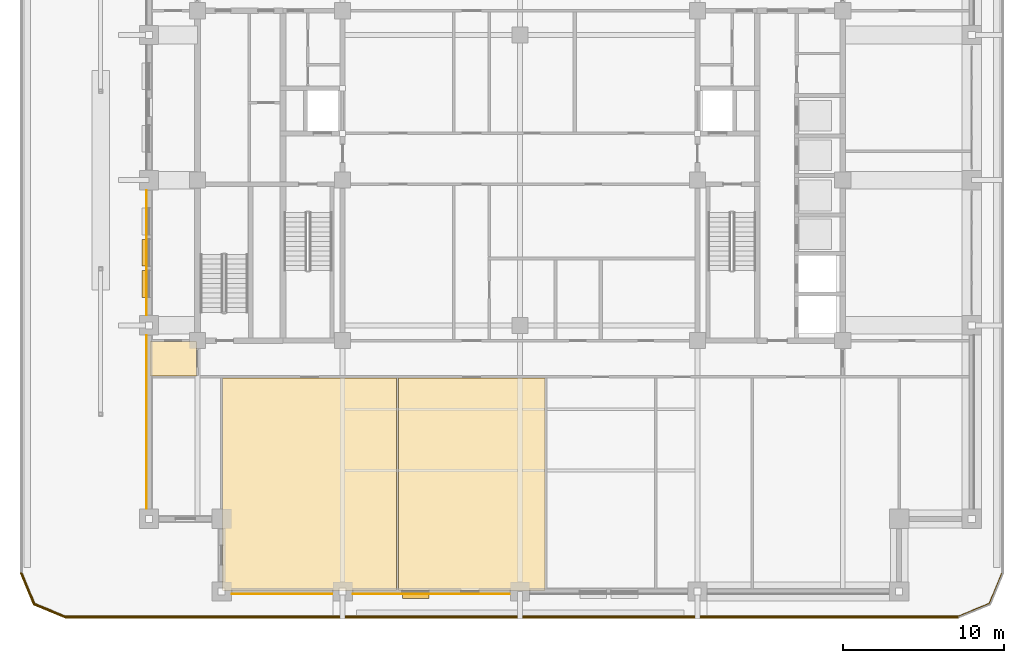
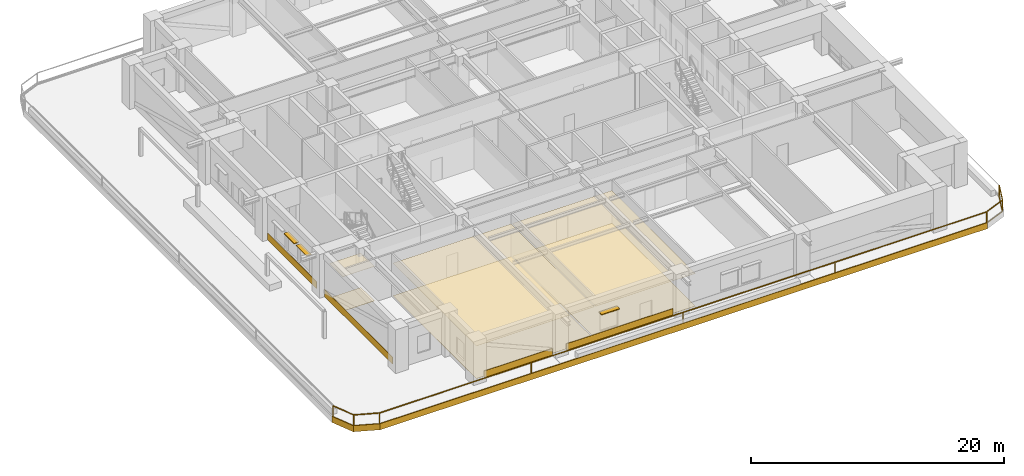
# One storey, part 13 of 21: 13 coverings, 3 shading devices, 1 railing.
"""IFC4 building model written with IfcOpenShell, lengths in metres."""

from ifc_helpers import new_model, si_unit, direction, frame, frame_2d, origin, origin_2d, place, context, subcontext, project, spatial, polyline, rectangle, outline, extrude, material, layer, layer_set, type_object, element, save


model = new_model("IFC4")

# Units and contexts
model_context = context("Model", 3, precision=1e-05, world=origin(), true_north=direction((0.0, 1.0)))
body_context = subcontext(model_context, "Body", "Model", "MODEL_VIEW")
ifc_project = project(units=[si_unit("LENGTHUNIT", "METRE"), si_unit("AREAUNIT", "SQUARE_METRE"), si_unit("VOLUMEUNIT", "CUBIC_METRE"), si_unit("PLANEANGLEUNIT", "RADIAN"), si_unit("MASSUNIT", "GRAM", prefix="KILO")], contexts=[model_context])

# Site, building, storey
site_placement = place(None, origin())
site = spatial("IfcSite", under=ifc_project, at=site_placement, CompositionType="ELEMENT")
building_placement = place(site_placement, origin())
building = spatial("IfcBuilding", under=site, at=building_placement, Name="Zulmaris Gate Convention Tower", CompositionType="ELEMENT")
storey_placement = place(building_placement, frame((0.0, 0.0, 86.93994140625)))
storey = spatial("IfcBuildingStorey", under=building, at=storey_placement, Name="L21", CompositionType="ELEMENT", Elevation=86.93994140625)

# Coverings
ifc_material_1 = material(Name="Precast concrete C40/50", Category="concrete")
ifc_layer_1 = layer(ifc_material_1, 0.0400390625, Name="Precast concrete C40/50")
ifc_layer_set_1 = layer_set([ifc_layer_1], Name="Precast concrete C40/50")
covering_type_1 = type_object("IfcCoveringType", Name="CLAD-SPANDREL-PRECAST", PredefinedType="CLADDING", material=ifc_layer_set_1)
covering_1_placement = place(storey_placement, frame((-17.8701171875, -25.64990234375, 0.0), z_axis=(0.0, 0.0, 1.0), x_axis=(1.0, 0.0, 0.0)))
element("IfcCovering", 1, at=covering_1_placement, inside=storey, type_object=covering_type_1, Name="CLD-L21-S-0_0", PredefinedType="CLADDING", context=body_context, shape_type="SweptSolid", body=[
    extrude(rectangle(XDim=6.240234375, YDim=0.0400390625, at=frame_2d((3.1201171875, 0.0))), origin(), (0.0, 0.0, 1.0), 0.679931640625),
])
covering_2_placement = place(storey_placement, frame((-10.3701171875, -25.64990234375, 0.0), z_axis=(0.0, 0.0, 1.0), x_axis=(1.0, 0.0, 0.0)))
element("IfcCovering", 2, at=covering_2_placement, inside=storey, type_object=covering_type_1, Name="CLD-L21-S-1_0", PredefinedType="CLADDING", context=body_context, shape_type="SweptSolid", body=[
    extrude(rectangle(XDim=9.740234375, YDim=0.0400390625, at=frame_2d((4.8701171875, 0.0))), origin(), (0.0, 0.0, 1.0), 0.679931640625),
])
covering_3_placement = place(storey_placement, frame((-23.14990234375, -9.6298828125, 0.0), z_axis=(0.0, 0.0, 1.0), x_axis=(0.0, -1.0, 0.0)))
element("IfcCovering", 3, at=covering_3_placement, inside=storey, type_object=covering_type_1, Name="CLD-L21-W-0_0", PredefinedType="CLADDING", context=body_context, shape_type="SweptSolid", body=[
    extrude(rectangle(XDim=10.740234375, YDim=0.0400390625, at=frame_2d((5.3701171875, 0.0))), origin(), (0.0, 0.0, 1.0), 0.679931640625),
])
covering_4_placement = place(storey_placement, frame((-23.14990234375, -0.6298828125, 0.0), z_axis=(0.0, 0.0, 1.0), x_axis=(0.0, -1.0, 0.0)))
element("IfcCovering", 4, at=covering_4_placement, inside=storey, type_object=covering_type_1, Name="CLD-L21-W-1_0", PredefinedType="CLADDING", context=body_context, shape_type="SweptSolid", body=[
    extrude(rectangle(XDim=7.740234375, YDim=0.0400390625, at=frame_2d((3.8701171875, 0.0))), origin(), (0.0, 0.0, 1.0), 0.679931640625),
])
ifc_material_2 = material(Name="White Glazed Architectural Precast Concrete C40/50", Category="concrete")
ifc_layer_2 = layer(ifc_material_2, 0.080078125, Name="White Glazed Architectural Precast Concrete C40/50")
ifc_layer_set_2 = layer_set([ifc_layer_2], Name="White Glazed Architectural Precast Concrete C40/50")
covering_type_2 = type_object("IfcCoveringType", Name="CLAD-TRAY-FASCIA", PredefinedType="CLADDING", material=ifc_layer_set_2)
covering_5_placement = place(storey_placement, frame((-30.962890625, -24.334716796875, -0.465087890625), z_axis=(0.0, 0.0, 1.0), x_axis=(0.382656984709, -0.923890487046, 0.0)))
element("IfcCovering", 5, at=covering_5_placement, inside=storey, type_object=covering_type_2, Name="FSC-L21-TR-00", PredefinedType="CLADDING", context=body_context, shape_type="SweptSolid", body=[
    extrude(rectangle(XDim=2.14306640625, YDim=0.080078125, at=frame_2d((1.071533203125, 0.0))), origin(), (0.0, 0.0, 1.0), 0.5849609375),
])
covering_6_placement = place(storey_placement, frame((-30.16455078125, -26.29296875, -0.465087890625), z_axis=(0.0, 0.0, 1.0), x_axis=(0.923873803533, -0.382697263049, 0.0)))
element("IfcCovering", 6, at=covering_6_placement, inside=storey, type_object=covering_type_2, Name="FSC-L21-TR-01", PredefinedType="CLADDING", context=body_context, shape_type="SweptSolid", body=[
    extrude(rectangle(XDim=2.142822265625, YDim=0.080078125, at=frame_2d((1.0712890625, 0.0))), origin(), (0.0, 0.0, 1.0), 0.5849609375),
])
covering_7_placement = place(storey_placement, frame((-28.199951171875, -27.110107421875, -0.465087890625), z_axis=(0.0, 0.0, 1.0), x_axis=(1.0, 0.0, 0.0)))
element("IfcCovering", 7, at=covering_7_placement, inside=storey, type_object=covering_type_2, Name="FSC-L21-TR-02", PredefinedType="CLADDING", context=body_context, shape_type="SweptSolid", body=[
    extrude(rectangle(XDim=55.39990234375, YDim=0.080078125, at=frame_2d((27.699951171875, 0.0))), origin(), (0.0, 0.0, 1.0), 0.5849609375),
])
ifc_material_3 = material(Name="Mineral Fibre Acoustic Ceiling Tile")
ifc_layer_3 = layer(ifc_material_3, 0.02001953125, Name="Mineral Fibre Acoustic Ceiling Tile")
ifc_layer_set_3 = layer_set([ifc_layer_3], Name="Mineral Fibre Acoustic Ceiling Tile")
covering_type_3 = type_object("IfcCoveringType", Name="CLG-ACOUSTIC-600", PredefinedType="CEILING", material=ifc_layer_set_3)
covering_8_placement = place(storey_placement, frame((0.0, 0.0, 3.153076171875)))
element("IfcCovering", 8, at=covering_8_placement, inside=storey, type_object=covering_type_3, Name="CLG-L21-R44", PredefinedType="CEILING", context=body_context, shape_type="SweptSolid", body=[
    extrude(outline(polyline([(-18.43994140625, -25.43994140625), (-7.659912109375, -25.43994140625), (-7.659912109375, -12.260009765625), (-18.43994140625, -12.260009765625), (-18.43994140625, -25.43994140625)])), origin(), (0.0, 0.0, 1.0), 0.019775390625),
])
covering_9_placement = place(storey_placement, frame((0.0, 0.0, 3.153076171875)))
element("IfcCovering", 9, at=covering_9_placement, inside=storey, type_object=covering_type_3, Name="CLG-L21-R45", PredefinedType="CEILING", context=body_context, shape_type="SweptSolid", body=[
    extrude(outline(polyline([(-7.5400390625, -25.43994140625), (1.5400390625, -25.43994140625), (1.5400390625, -12.260009765625), (-7.5400390625, -12.260009765625), (-7.5400390625, -25.43994140625)])), origin(), (0.0, 0.0, 1.0), 0.019775390625),
])
covering_10_placement = place(storey_placement, frame((0.0, 0.0, 3.327880859375)))
element("IfcCovering", 10, at=covering_10_placement, inside=storey, type_object=covering_type_3, Name="CLG-L21-R58", PredefinedType="CEILING", context=body_context, shape_type="SweptSolid", body=[
    extrude(outline(polyline([(-22.93994140625, -12.139892578125), (-20.06005859375, -12.139892578125), (-20.06005859375, -10.010009765625), (-22.93994140625, -10.010009765625), (-22.93994140625, -12.139892578125)])), origin(), (0.0, 0.0, 1.0), 0.02001953125),
])
ifc_material_4 = material(Name="Woven Acoustic Wool Carpet Tile")
ifc_layer_4 = layer(ifc_material_4, 0.02001953125, Name="Woven Acoustic Wool Carpet Tile")
ifc_layer_set_4 = layer_set([ifc_layer_4], Name="Woven Acoustic Wool Carpet Tile")
covering_type_4 = type_object("IfcCoveringType", Name="FLR-CARPET-12", PredefinedType="FLOORING", material=ifc_layer_set_4)
covering_11_placement = place(storey_placement, origin())
element("IfcCovering", 11, at=covering_11_placement, inside=storey, type_object=covering_type_4, Name="FLR-L21-R44", PredefinedType="FLOORING", context=body_context, shape_type="SweptSolid", body=[
    extrude(outline(polyline([(-18.43994140625, -25.43994140625), (-7.659912109375, -25.43994140625), (-7.659912109375, -12.260009765625), (-18.43994140625, -12.260009765625), (-18.43994140625, -25.43994140625)])), origin(), (0.0, 0.0, 1.0), 0.02001953125),
])
covering_12_placement = place(storey_placement, origin())
element("IfcCovering", 12, at=covering_12_placement, inside=storey, type_object=covering_type_4, Name="FLR-L21-R45", PredefinedType="FLOORING", context=body_context, shape_type="SweptSolid", body=[
    extrude(outline(polyline([(-7.5400390625, -25.43994140625), (1.5400390625, -25.43994140625), (1.5400390625, -12.260009765625), (-7.5400390625, -12.260009765625), (-7.5400390625, -25.43994140625)])), origin(), (0.0, 0.0, 1.0), 0.02001953125),
])
covering_13_placement = place(storey_placement, origin())
element("IfcCovering", 13, at=covering_13_placement, inside=storey, type_object=covering_type_4, Name="FLR-L21-R58", PredefinedType="FLOORING", context=body_context, shape_type="SweptSolid", body=[
    extrude(outline(polyline([(-22.93994140625, -12.139892578125), (-20.06005859375, -12.139892578125), (-20.06005859375, -10.010009765625), (-22.93994140625, -10.010009765625), (-22.93994140625, -12.139892578125)])), origin(), (0.0, 0.0, 1.0), 0.02001953125),
])

# Railing
ifc_material_5 = material(Name="Laminated Glass and Stainless Steel", Category="steel")
railing_type = type_object("IfcRailingType", Name="RL-BALC-1150", PredefinedType="BALUSTRADE", material=ifc_material_5)
railing_placement = place(storey_placement, frame((-30.8798828125, -24.35009765625, -0.0400390625)))
element("IfcRailing", 14, at=railing_placement, inside=storey, type_object=railing_type, Name="RL-L21-BALC-S", PredefinedType="BALUSTRADE", context=body_context, shape_type="SweptSolid", body=[
    extrude(rectangle(XDim=0.048095703125, YDim=0.048095703125, at=origin_2d()), frame((0.0, 0.0, 1.1259765625), z_axis=(0.382670664694, -0.92388482095, 0.0), x_axis=(0.92388482095, 0.382670664694, 0.0)), (0.0, 0.0, 1.0), 2.051025390625),
    extrude(rectangle(XDim=0.048095703125, YDim=0.048095703125, at=origin_2d()), frame((0.0, 0.0, 0.02392578125), z_axis=(0.382670664694, -0.92388482095, 0.0), x_axis=(0.92388482095, 0.382670664694, 0.0)), (0.0, 0.0, 1.0), 2.051025390625),
    extrude(rectangle(XDim=0.048095703125, YDim=0.048095703125, at=origin_2d()), frame((0.784912109375, -1.89501953125, 1.1259765625), z_axis=(0.92388482095, -0.382670664694, 0.0), x_axis=(0.382670664694, 0.92388482095, 0.0)), (0.0, 0.0, 1.0), 2.051025390625),
    extrude(rectangle(XDim=0.048095703125, YDim=0.048095703125, at=origin_2d()), frame((0.784912109375, -1.89501953125, 0.02392578125), z_axis=(0.92388482095, -0.382670664694, 0.0), x_axis=(0.382670664694, 0.92388482095, 0.0)), (0.0, 0.0, 1.0), 2.051025390625),
    extrude(rectangle(XDim=0.048095703125, YDim=0.048095703125, at=origin_2d()), frame((2.679931640625, -2.679931640625, 1.1259765625), z_axis=(1.0, 0.0, 0.0), x_axis=(0.0, 1.0, 0.0)), (0.0, 0.0, 1.0), 55.39990234375),
    extrude(rectangle(XDim=0.048095703125, YDim=0.048095703125, at=origin_2d()), frame((2.679931640625, -2.679931640625, 0.02392578125), z_axis=(1.0, 0.0, 0.0), x_axis=(0.0, 1.0, 0.0)), (0.0, 0.0, 1.0), 55.39990234375),
    extrude(rectangle(XDim=0.048095703125, YDim=0.048095703125, at=origin_2d()), frame((58.079833984375, -2.679931640625, 1.1259765625), z_axis=(0.92388482095, 0.382670664694, 0.0), x_axis=(-0.382670664694, 0.92388482095, 0.0)), (0.0, 0.0, 1.0), 2.051025390625),
    extrude(rectangle(XDim=0.048095703125, YDim=0.048095703125, at=origin_2d()), frame((58.079833984375, -2.679931640625, 0.02392578125), z_axis=(0.92388482095, 0.382670664694, 0.0), x_axis=(-0.382670664694, 0.92388482095, 0.0)), (0.0, 0.0, 1.0), 2.051025390625),
    extrude(rectangle(XDim=0.048095703125, YDim=0.048095703125, at=origin_2d()), frame((59.974853515625, -1.89501953125, 1.1259765625), z_axis=(0.382670664694, 0.92388482095, 0.0), x_axis=(-0.92388482095, 0.382670664694, 0.0)), (0.0, 0.0, 1.0), 2.051025390625),
    extrude(rectangle(XDim=0.048095703125, YDim=0.048095703125, at=origin_2d()), frame((59.974853515625, -1.89501953125, 0.02392578125), z_axis=(0.382670664694, 0.92388482095, 0.0), x_axis=(-0.92388482095, 0.382670664694, 0.0)), (0.0, 0.0, 1.0), 2.051025390625),
    extrude(rectangle(XDim=0.0419921875, YDim=0.0419921875, at=origin_2d()), origin(), (0.0, 0.0, 1.0), 1.101806640625),
    extrude(rectangle(XDim=0.0419921875, YDim=0.0419921875, at=origin_2d()), frame((0.784912109375, -1.89501953125, 0.0)), (0.0, 0.0, 1.0), 1.101806640625),
    extrude(rectangle(XDim=0.0419921875, YDim=0.0419921875, at=origin_2d()), frame((2.679931640625, -2.679931640625, 0.0)), (0.0, 0.0, 1.0), 1.101806640625),
    extrude(rectangle(XDim=0.0419921875, YDim=0.0419921875, at=origin_2d()), frame((16.52978515625, -2.679931640625, 0.0)), (0.0, 0.0, 1.0), 1.101806640625),
    extrude(rectangle(XDim=0.0419921875, YDim=0.0419921875, at=origin_2d()), frame((30.3798828125, -2.679931640625, 0.0)), (0.0, 0.0, 1.0), 1.101806640625),
    extrude(rectangle(XDim=0.0419921875, YDim=0.0419921875, at=origin_2d()), frame((44.22998046875, -2.679931640625, 0.0)), (0.0, 0.0, 1.0), 1.101806640625),
    extrude(rectangle(XDim=0.0419921875, YDim=0.0419921875, at=origin_2d()), frame((58.079833984375, -2.679931640625, 0.0)), (0.0, 0.0, 1.0), 1.101806640625),
    extrude(rectangle(XDim=0.0419921875, YDim=0.0419921875, at=origin_2d()), frame((59.974853515625, -1.89501953125, 0.0)), (0.0, 0.0, 1.0), 1.101806640625),
    extrude(rectangle(XDim=0.0419921875, YDim=0.0419921875, at=origin_2d()), frame((60.759765625, 0.0, 0.0)), (0.0, 0.0, 1.0), 1.101806640625),
])

# Shading devices
ifc_material_6 = material(Name="Glazed Ceramic Terracotta", Category="masonry")
ifc_layer_5 = layer(ifc_material_6, 0.070068359375, Name="Glazed Ceramic Terracotta")
ifc_layer_set_5 = layer_set([ifc_layer_5], Name="Glazed Ceramic Terracotta")
shading_device_type = type_object("IfcShadingDeviceType", Name="SHD-SUNSHADE-TC", PredefinedType="AWNING", material=ifc_layer_set_5)
shading_device_placement = place(storey_placement, frame((-7.299072265625, -25.719970703125, 2.530029296875), z_axis=(0.0, 0.0, 1.0), x_axis=(1.0, 0.0, 0.0)))
element("IfcShadingDevice", 15, at=shading_device_placement, inside=storey, type_object=shading_device_type, Name="SHD-EW-L21-S-1_0-2", PredefinedType="AWNING", context=body_context, shape_type="SweptSolid", body=[
    extrude(rectangle(XDim=1.650146484375, YDim=0.43994140625, at=frame_2d((0.8251953125, 0.0))), origin(), (0.0, 0.0, 1.0), 0.06982421875),
])
for number, where, z_axis, x_axis, name in (
    (16, (-23.219970703125, -3.675048828125, 2.530029296875), (0.0, 0.0, 1.0), (0.0, -1.0, 0.0), "SHD-EW-L21-W-1_0-2"),
    (17, (-23.219970703125, -5.610107421875, 2.530029296875), (0.0, 0.0, 1.0), (0.0, -1.0, 0.0), "SHD-EW-L21-W-1_0-3"),
):
    element("IfcShadingDevice", number, at=place(storey_placement, frame(where, z_axis=z_axis, x_axis=x_axis)), inside=storey, type_object=shading_device_type, Name=name, PredefinedType="AWNING", context=body_context, shape_type="SweptSolid", body=[
        extrude(rectangle(XDim=1.64990234375, YDim=0.43994140625, at=frame_2d((0.824951171875, 0.0))), origin(), (0.0, 0.0, 1.0), 0.06982421875),
    ])

save(model, "model.ifc")
